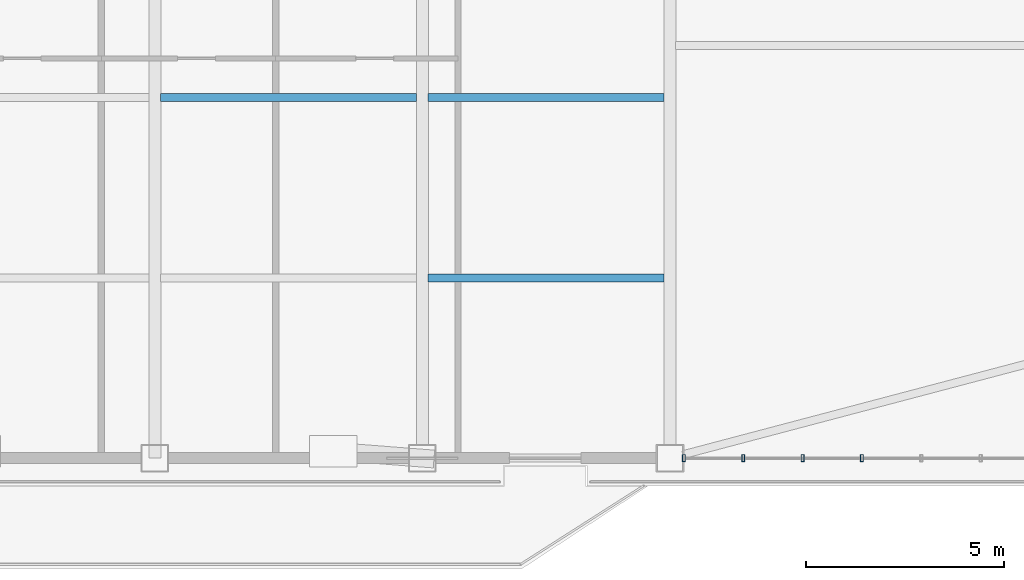
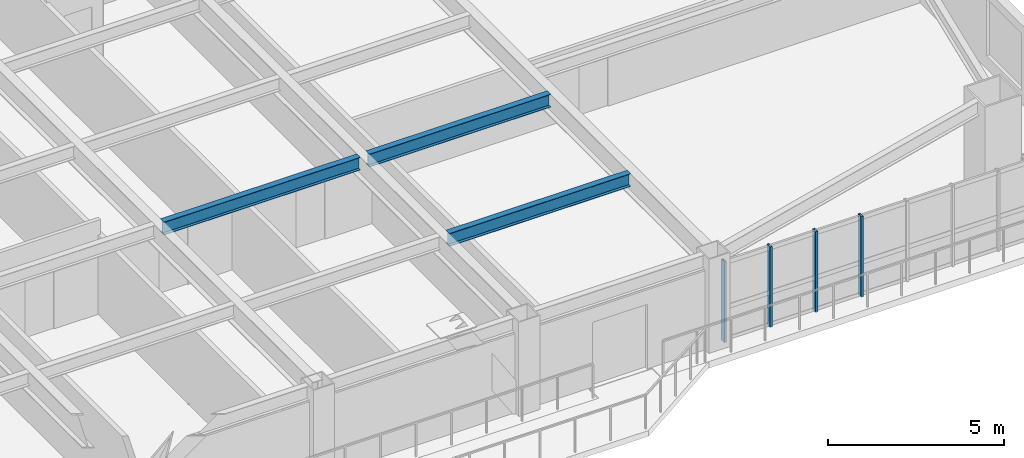
# One storey, part 4 of 15: 4 members, 3 beams, 1 element without a shape of its own.
"""IFC4 building model written with IfcOpenShell, lengths in metres."""

import ifcopenshell
import ifcopenshell.guid

model = None  # the IFC model being written
_history = None  # IfcOwnerHistory: only IFC2X3 demands one
_inside = {}  # id of a spatial element -> (the spatial element, [elements in it])
_under = {}  # id of a project, library or spatial element -> (it, [spatial elements below it])
_declared = {}  # id of a project -> (the project, [libraries it declares])
_typed = {}  # id of a type object -> (the type object, [elements of that type])
_made_of = {}  # id of a material, layer set ... -> (it, [elements and type objects made of it])


def new_model(schema):
    """Start an empty IFC model of exactly this schema.

    Asked for "IFC4X3", IfcOpenShell would pick the latest addendum, in which some entities
    have other attributes; the version numbers below select the first issue.
    IFC2X3 requires an IfcOwnerHistory on every rooted entity: one is made here for all.
    """
    global model, _history
    if schema == "IFC4X3":
        model = ifcopenshell.file(schema_version=(4, 3, 0, 0))
    else:
        model = ifcopenshell.file(schema=schema)
    _inside.clear()
    _under.clear()
    _declared.clear()
    _typed.clear()
    _made_of.clear()
    _history = None
    if model.schema == "IFC2X3":
        org = make("IfcOrganization", Name="unknown")
        user = make(
            "IfcPersonAndOrganization",
            ThePerson=make("IfcPerson", FamilyName="unknown"),
            TheOrganization=org,
        )
        app = make(
            "IfcApplication",
            ApplicationDeveloper=org,
            Version="unknown",
            ApplicationFullName="unknown",
            ApplicationIdentifier="unknown",
        )
        _history = make(
            "IfcOwnerHistory",
            OwningUser=user,
            OwningApplication=app,
            ChangeAction="ADDED",
            CreationDate=0,
        )
    return model


def make(cls, **values):
    """One entity of the class cls with the attributes given. An attribute that is None is left unset."""
    return model.create_entity(
        cls, **{name: value for name, value in values.items() if value is not None}
    )


def rooted(cls, **values):
    """An entity with a GlobalId (a new one), such as an element, a storey or a relation."""
    return make(cls, GlobalId=ifcopenshell.guid.new(), OwnerHistory=_history, **values)


def si_unit(unit_type, name, prefix=None):
    """IfcSIUnit, for example si_unit("LENGTHUNIT", "METRE", prefix="MILLI")."""
    return make("IfcSIUnit", UnitType=unit_type, Prefix=prefix, Name=name)


def assignment(units):
    """IfcUnitAssignment: the units of a project."""
    return None if units is None else make("IfcUnitAssignment", Units=units)


def point(xyz):
    """IfcCartesianPoint."""
    return None if xyz is None else make("IfcCartesianPoint", Coordinates=xyz)


def direction(xyz):
    """IfcDirection."""
    return None if xyz is None else make("IfcDirection", DirectionRatios=xyz)


def frame(location, z_axis=None, x_axis=None):
    """IfcAxis2Placement3D, a coordinate frame: its origin and axes. An axis left out is left unset."""
    return make(
        "IfcAxis2Placement3D",
        Location=point(location),
        Axis=direction(z_axis),
        RefDirection=direction(x_axis),
    )


def frame_2d(location, x_axis=None):
    """IfcAxis2Placement2D, a coordinate frame in the plane: its origin and x axis."""
    return make(
        "IfcAxis2Placement2D", Location=point(location), RefDirection=direction(x_axis)
    )


def origin():
    """The frame at (0, 0, 0) with its axes left unset."""
    return frame((0.0, 0.0, 0.0))


def origin_2d():
    """The frame at (0, 0) in the plane with its x axis left unset."""
    return frame_2d((0.0, 0.0))


def place(relative_to, where):
    """IfcLocalPlacement: puts the frame where relative to a parent placement (None: the world)."""
    return make(
        "IfcLocalPlacement", PlacementRelTo=relative_to, RelativePlacement=where
    )


def context(
    kind, dimensions, precision=None, world=None, true_north=None, identifier=None
):
    """IfcGeometricRepresentationContext, for example the 3D "Model" context."""
    return make(
        "IfcGeometricRepresentationContext",
        ContextIdentifier=identifier,
        ContextType=kind,
        CoordinateSpaceDimension=dimensions,
        Precision=precision,
        WorldCoordinateSystem=world,
        TrueNorth=true_north,
    )


def subcontext(parent, identifier, kind, view, scale=None):
    """IfcGeometricRepresentationSubContext, for example "Body" below "Model"."""
    return make(
        "IfcGeometricRepresentationSubContext",
        ContextIdentifier=identifier,
        ContextType=kind,
        ParentContext=parent,
        TargetScale=scale,
        TargetView=view,
    )


def project(units=None, contexts=None):
    """IfcProject with its units and contexts."""
    return rooted(
        "IfcProject",
        Name="project",
        RepresentationContexts=contexts,
        UnitsInContext=assignment(units),
    )


def spatial(cls, under=None, at=None, **own):
    """A site, building, storey or space (cls), placed at a placement, below another one or the project."""
    s = rooted(cls, ObjectPlacement=at, **own)
    if under is not None:
        _under.setdefault(under.id(), (under, []))[1].append(s)
    return s


def profile(cls, at=None, kind="AREA", **sizes):
    """A parametric profile (cls). Its sizes go by their IFC names, for example OverallWidth=200.0."""
    return make(cls, ProfileType=kind, Position=at, **sizes)


def hollow_rectangle(**sizes):
    """IfcRectangleHollowProfileDef."""
    return profile("IfcRectangleHollowProfileDef", **sizes)


def i_section(**sizes):
    """IfcIShapeProfileDef."""
    return profile("IfcIShapeProfileDef", **sizes)


def extrude(swept, where, along, depth):
    """IfcExtrudedAreaSolid: the profile swept, set in the frame where, extruded along a direction by depth."""
    return make(
        "IfcExtrudedAreaSolid",
        SweptArea=swept,
        Position=where,
        ExtrudedDirection=direction(along),
        Depth=depth,
    )


def shape(context_of_items, identifier, shape_type, items):
    """IfcShapeRepresentation: the items that make up one representation, for example the "Body"."""
    return make(
        "IfcShapeRepresentation",
        ContextOfItems=context_of_items,
        RepresentationIdentifier=identifier,
        RepresentationType=shape_type,
        Items=items,
    )


def source(mapping_origin, context_of_items, identifier, shape_type, items):
    """IfcRepresentationMap: a shape defined once, which mapped items show again and again."""
    return make(
        "IfcRepresentationMap",
        MappingOrigin=mapping_origin,
        MappedRepresentation=shape(context_of_items, identifier, shape_type, items),
    )


def transform(
    local_origin,
    x_axis=None,
    y_axis=None,
    z_axis=None,
    scale=None,
    scale2=None,
    scale3=None,
    uniform=True,
):
    """IfcCartesianTransformationOperator3D, or its non-uniform kind. x_axis, y_axis, z_axis: its Axis1, 2, 3."""
    if uniform:
        return make(
            "IfcCartesianTransformationOperator3D",
            Axis1=direction(x_axis),
            Axis2=direction(y_axis),
            LocalOrigin=point(local_origin),
            Scale=scale,
            Axis3=direction(z_axis),
        )
    return make(
        "IfcCartesianTransformationOperator3DnonUniform",
        Axis1=direction(x_axis),
        Axis2=direction(y_axis),
        LocalOrigin=point(local_origin),
        Scale=scale,
        Axis3=direction(z_axis),
        Scale2=scale2,
        Scale3=scale3,
    )


def mapped(mapping_source, mapping_target):
    """IfcMappedItem: shows the shape of a source again, moved by a transform."""
    return make(
        "IfcMappedItem", MappingSource=mapping_source, MappingTarget=mapping_target
    )


def material(Name=None, Category=None):
    """IfcMaterial."""
    return make("IfcMaterial", Name=Name, Category=Category)


def layer(
    of_material, thickness, ventilated=None, Name=None, Category=None, Priority=None
):
    """IfcMaterialLayer: one layer of a wall or slab, of a material (None: an air gap)."""
    return make(
        "IfcMaterialLayer",
        Material=of_material,
        LayerThickness=thickness,
        IsVentilated=ventilated,
        Name=Name,
        Category=Category,
        Priority=Priority,
    )


def layer_set(layers, Name=None):
    """IfcMaterialLayerSet."""
    return make("IfcMaterialLayerSet", MaterialLayers=layers, LayerSetName=Name)


def material_profile(
    of_material, cross_section, Name=None, Category=None, Priority=None
):
    """IfcMaterialProfile: a cross section and its material."""
    return make(
        "IfcMaterialProfile",
        Name=Name,
        Material=of_material,
        Profile=cross_section,
        Priority=Priority,
        Category=Category,
    )


def profile_set(profiles, Name=None, composite=None):
    """IfcMaterialProfileSet."""
    return make(
        "IfcMaterialProfileSet",
        Name=Name,
        MaterialProfiles=profiles,
        CompositeProfile=composite,
    )


def made_of(thing, what):
    """Note that an element or type object is made of a material, layer set ...; save() writes the relation."""
    if what is not None:
        _made_of.setdefault(what.id(), (what, []))[1].append(thing)
    return thing


def type_object(cls, material=None, **own):
    """A type object (cls), such as IfcWallType, which elements share."""
    return made_of(rooted(cls, **own), material)


def element(
    cls,
    number,
    at=None,
    inside=None,
    cuts=None,
    type_object=None,
    material=None,
    context=None,
    identifier="Body",
    shape_type=None,
    held_by="IfcProductDefinitionShape",
    body=None,
    shapes=None,
    **own,
):
    """One element of the class cls, such as IfcWall. Its Tag is "e" and its number.

    at: its placement. inside: the storey or other place that contains it. cuts: it is an
    opening in that element (IfcRelVoidsElement). A single representation is given by context,
    identifier, shape_type and body (its items); several are given by shapes. held_by: the class
    of the entity that holds the representations. save() writes the other relations.
    """
    e = rooted(cls, Tag="e%d" % number, ObjectPlacement=at, **own)
    if body is not None:
        shapes = [shape(context, identifier, shape_type, body)]
    if shapes is not None:
        e.Representation = make(held_by, Representations=shapes)
    if inside is not None:
        _inside.setdefault(inside.id(), (inside, []))[1].append(e)
    if cuts is not None:
        rooted(
            "IfcRelVoidsElement", RelatingBuildingElement=cuts, RelatedOpeningElement=e
        )
    if type_object is not None:
        _typed.setdefault(type_object.id(), (type_object, []))[1].append(e)
    return made_of(e, material)


def aggregate(whole, parts):
    """IfcRelAggregates: a whole, such as a stair, and the parts it consists of."""
    return rooted("IfcRelAggregates", RelatingObject=whole, RelatedObjects=parts)


def save(model, path):
    """Write the relations noted so far, then the file.

    IfcRelAggregates (storeys below a building ...), IfcRelContainedInSpatialStructure (elements
    in a storey), IfcRelDefinesByType, IfcRelAssociatesMaterial and IfcRelDeclares: one each for
    every whole, place, type object, material and project.
    """
    for whole, parts in _under.values():
        aggregate(whole, parts)
    for where, things in _inside.values():
        rooted(
            "IfcRelContainedInSpatialStructure",
            RelatedElements=things,
            RelatingStructure=where,
        )
    for kind, things in _typed.values():
        rooted("IfcRelDefinesByType", RelatedObjects=things, RelatingType=kind)
    for what, things in _made_of.values():
        rooted("IfcRelAssociatesMaterial", RelatedObjects=things, RelatingMaterial=what)
    for by, libraries in _declared.values():
        rooted("IfcRelDeclares", RelatingContext=by, RelatedDefinitions=libraries)
    model.write(path)


model = new_model("IFC4")

# Units and contexts
model_context = context("Model", 3, precision=1e-05, world=origin(), true_north=direction((0.0, 1.0)))
body_context = subcontext(model_context, "Body", "Model", "MODEL_VIEW")
ifc_project = project(units=[si_unit("LENGTHUNIT", "METRE"), si_unit("AREAUNIT", "SQUARE_METRE"), si_unit("VOLUMEUNIT", "CUBIC_METRE"), si_unit("PLANEANGLEUNIT", "RADIAN"), si_unit("MASSUNIT", "GRAM", prefix="KILO")], contexts=[model_context])

# Site, building, storey
site_placement = place(None, origin())
site = spatial("IfcSite", under=ifc_project, at=site_placement, CompositionType="ELEMENT")
building_placement = place(site_placement, origin())
building = spatial("IfcBuilding", under=site, at=building_placement, Name="Giltprow Tower", CompositionType="ELEMENT")
storey_placement = place(building_placement, frame((0.0, 0.0, 180.699951171875)))
storey = spatial("IfcBuildingStorey", under=building, at=storey_placement, Name="L45", CompositionType="ELEMENT", Elevation=180.699951171875)

# Beams
ifc_material_1 = material(Name="Structural steel Q355B", Category="steel")
ifc_material_profile_1 = material_profile(ifc_material_1, i_section(OverallWidth=0.199951171875, OverallDepth=0.449951171875, WebThickness=0.009033203125, FlangeThickness=0.013916015625, at=origin_2d()), Name="HN 450x200x9x14")
ifc_profile_set_1 = profile_set([ifc_material_profile_1], Name="Structural steel Q355B")
beam_type = type_object("IfcBeamType", Name="BM-JOIST-HN450", PredefinedType="JOIST", material=ifc_profile_set_1)
shared_shape_1 = source(origin(), body_context, "Body", "SweptSolid", [
    extrude(i_section(OverallWidth=0.199951171875, OverallDepth=0.449951171875, WebThickness=0.009033203125, FlangeThickness=0.013916015625, at=origin_2d()), origin(), (0.0, 0.0, 1.0), 6.4599609375),
])
beam_placement = place(storey_placement, frame((37.695068359375, 19.2529296875, 3.045166015625), z_axis=(1.0, 0.0, 0.0), x_axis=(0.0, 1.0, 0.0)))
element("IfcBeam", 1, at=beam_placement, inside=storey, type_object=beam_type, Name="L45 Composite Floor Joist 2-3", PredefinedType="JOIST", context=body_context, shape_type="MappedRepresentation", body=[
    mapped(shared_shape_1, transform((0.0, 0.0, 0.0), x_axis=(1.0, 0.0, 0.0), y_axis=(0.0, 1.0, 0.0), z_axis=(0.0, 0.0, 1.0), scale=1.0)),
])
shared_shape_2 = source(origin(), body_context, "Body", "SweptSolid", [
    extrude(i_section(OverallWidth=0.199951171875, OverallDepth=0.449951171875, WebThickness=0.009033203125, FlangeThickness=0.013916015625, at=origin_2d()), origin(), (0.0, 0.0, 1.0), 5.9599609375),
])
for number, where, z_axis, x_axis, name in (
    (2, (44.445068359375, 14.702880859375, 3.045166015625), (1.0, 0.0, 0.0), (0.0, 1.0, 0.0), "L45 Composite Floor Joist 1-4"),
    (3, (44.445068359375, 19.2529296875, 3.045166015625), (1.0, 0.0, 0.0), (0.0, 1.0, 0.0), "L45 Composite Floor Joist 2-4"),
):
    element("IfcBeam", number, at=place(storey_placement, frame(where, z_axis=z_axis, x_axis=x_axis)), inside=storey, type_object=beam_type, Name=name, PredefinedType="JOIST", context=body_context, shape_type="MappedRepresentation", body=[
        mapped(shared_shape_2, transform((0.0, 0.0, 0.0), x_axis=(1.0, 0.0, 0.0), y_axis=(0.0, 1.0, 0.0), z_axis=(0.0, 0.0, 1.0), scale=1.0)),
    ])

# Curtain wall, members
ifc_material_2 = material(Name="Anodized bronze", Category="metal")
ifc_layer = layer(ifc_material_2, 0.179931640625, Name="Anodized bronze")
ifc_layer_set = layer_set([ifc_layer], Name="Anodized bronze")
curtain_wall_type = type_object("IfcCurtainWallType", Name="CW-HTL-BRONZE", PredefinedType="NOTDEFINED", material=ifc_layer_set)
curtain_wall_placement = place(storey_placement, origin())
curtain_wall = element("IfcCurtainWall", 4, at=curtain_wall_placement, inside=storey, type_object=curtain_wall_type, Name="L45 South Recessed Curtain Wall 6", PredefinedType="NOTDEFINED")
ifc_material_profile_2 = material_profile(ifc_material_2, hollow_rectangle(XDim=0.074951171875, YDim=0.179931640625, WallThickness=0.008056640625, at=origin_2d()), Name="RHS 180x75x8")
ifc_profile_set_2 = profile_set([ifc_material_profile_2], Name="Anodized bronze")
member_type = type_object("IfcMemberType", Name="CW-MULLION-180x75", PredefinedType="MULLION", material=ifc_profile_set_2)
shared_shape_3 = source(origin(), body_context, "Body", "SweptSolid", [
    extrude(hollow_rectangle(XDim=0.074951171875, YDim=0.179931640625, WallThickness=0.008056640625, at=origin_2d()), origin(), (0.0, 0.0, 1.0), 2.80517578125),
])
member_1_placement = place(storey_placement, frame((50.89990234375, 10.154052734375, -0.02001953125), z_axis=(0.0, 0.0, 1.0), x_axis=(1.0, 0.0, 0.0)))
member_1 = element("IfcMember", 5, at=member_1_placement, type_object=member_type, Name="L45 South Recessed Curtain Wall 6 Mullion 1", PredefinedType="MULLION", context=body_context, shape_type="MappedRepresentation", body=[
    mapped(shared_shape_3, transform((0.0, 0.0, 0.0), x_axis=(1.0, 0.0, 0.0), y_axis=(0.0, 1.0, 0.0), z_axis=(0.0, 0.0, 1.0), scale=1.0)),
])
member_2_placement = place(storey_placement, frame((52.39794921875, 10.154052734375, -0.02001953125), z_axis=(0.0, 0.0, 1.0), x_axis=(1.0, 0.0, 0.0)))
member_2 = element("IfcMember", 6, at=member_2_placement, type_object=member_type, Name="L45 South Recessed Curtain Wall 6 Mullion 2", PredefinedType="MULLION", context=body_context, shape_type="MappedRepresentation", body=[
    mapped(shared_shape_3, transform((0.0, 0.0, 0.0), x_axis=(1.0, 0.0, 0.0), y_axis=(0.0, 1.0, 0.0), z_axis=(0.0, 0.0, 1.0), scale=1.0)),
])
member_3_placement = place(storey_placement, frame((53.89599609375, 10.154052734375, -0.02001953125), z_axis=(0.0, 0.0, 1.0), x_axis=(1.0, 0.0, 0.0)))
member_3 = element("IfcMember", 7, at=member_3_placement, type_object=member_type, Name="L45 South Recessed Curtain Wall 6 Mullion 3", PredefinedType="MULLION", context=body_context, shape_type="MappedRepresentation", body=[
    mapped(shared_shape_3, transform((0.0, 0.0, 0.0), x_axis=(1.0, 0.0, 0.0), y_axis=(0.0, 1.0, 0.0), z_axis=(0.0, 0.0, 1.0), scale=1.0)),
])
member_4_placement = place(storey_placement, frame((55.39404296875, 10.154052734375, -0.02001953125), z_axis=(0.0, 0.0, 1.0), x_axis=(1.0, 0.0, 0.0)))
member_4 = element("IfcMember", 8, at=member_4_placement, type_object=member_type, Name="L45 South Recessed Curtain Wall 6 Mullion 4", PredefinedType="MULLION", context=body_context, shape_type="MappedRepresentation", body=[
    mapped(shared_shape_3, transform((0.0, 0.0, 0.0), x_axis=(1.0, 0.0, 0.0), y_axis=(0.0, 1.0, 0.0), z_axis=(0.0, 0.0, 1.0), scale=1.0)),
])
aggregate(curtain_wall, [member_1, member_2, member_3, member_4])

save(model, "model.ifc")
